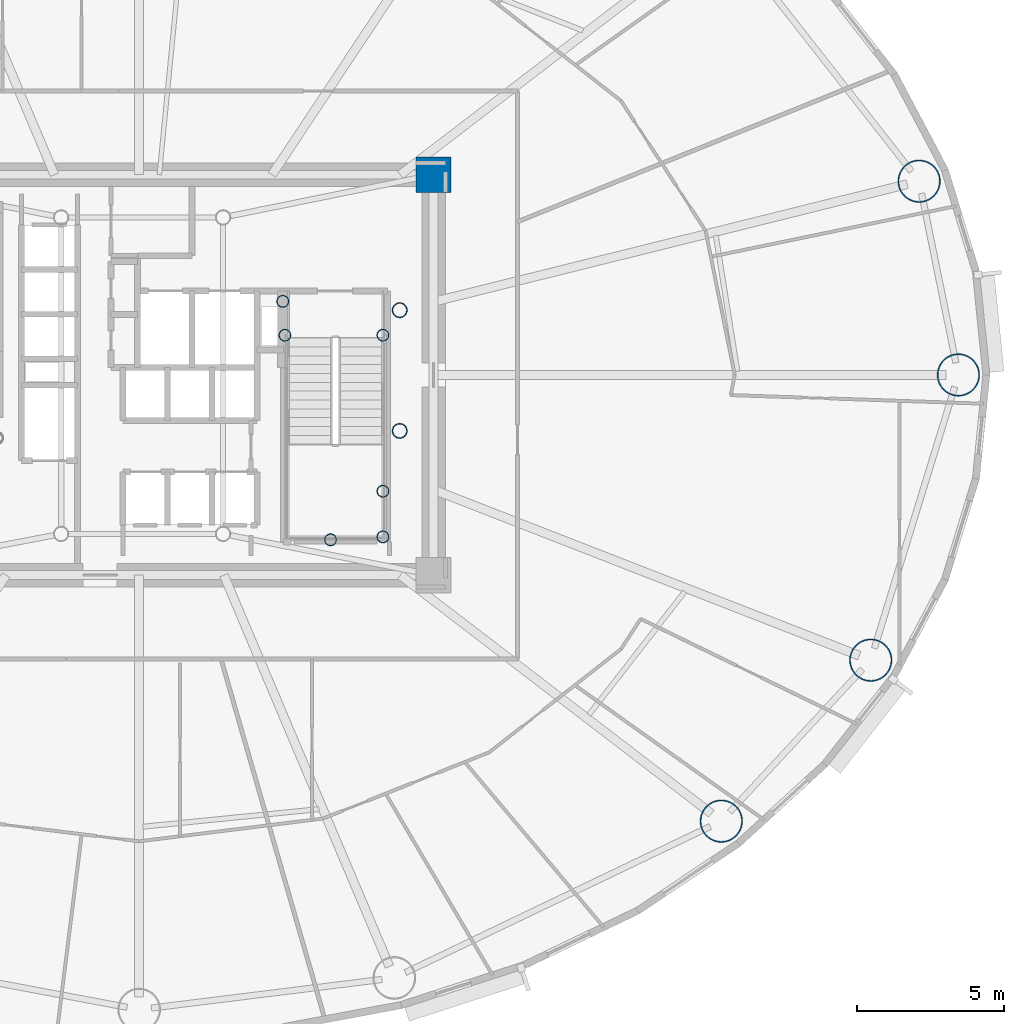
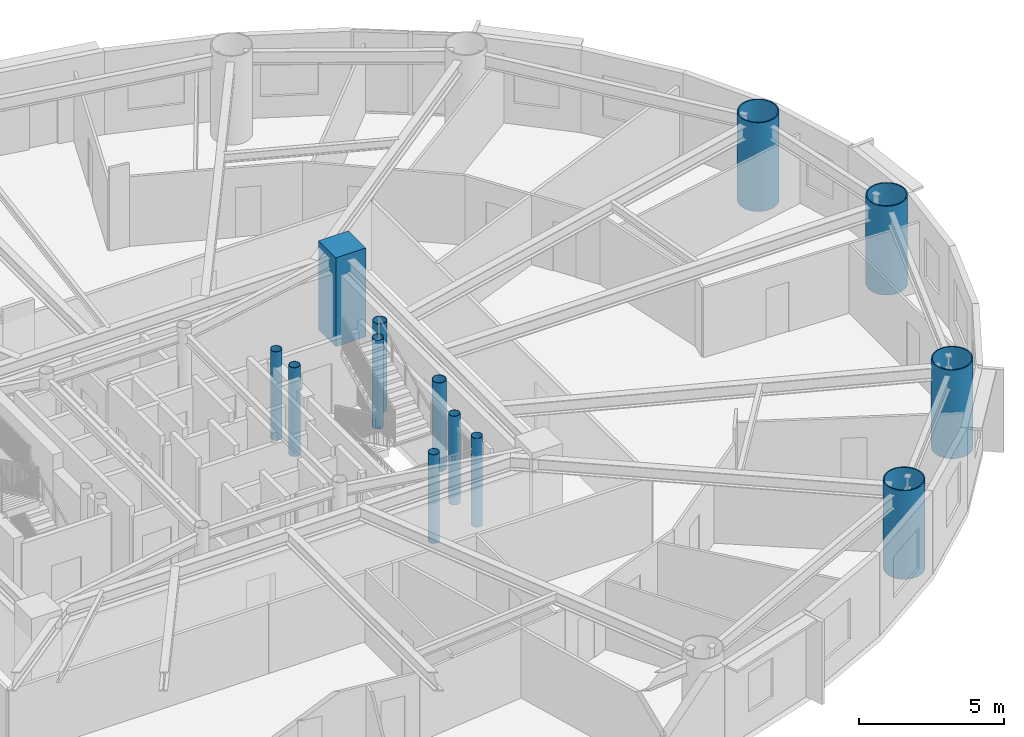
# One storey, part 2 of 20: 13 columns.
"""IFC4 building model written with IfcOpenShell, lengths in metres."""

import ifcopenshell
import ifcopenshell.guid

model = None  # the IFC model being written
_history = None  # IfcOwnerHistory: only IFC2X3 demands one
_inside = {}  # id of a spatial element -> (the spatial element, [elements in it])
_under = {}  # id of a project, library or spatial element -> (it, [spatial elements below it])
_declared = {}  # id of a project -> (the project, [libraries it declares])
_typed = {}  # id of a type object -> (the type object, [elements of that type])
_made_of = {}  # id of a material, layer set ... -> (it, [elements and type objects made of it])


def new_model(schema):
    """Start an empty IFC model of exactly this schema.

    Asked for "IFC4X3", IfcOpenShell would pick the latest addendum, in which some entities
    have other attributes; the version numbers below select the first issue.
    IFC2X3 requires an IfcOwnerHistory on every rooted entity: one is made here for all.
    """
    global model, _history
    if schema == "IFC4X3":
        model = ifcopenshell.file(schema_version=(4, 3, 0, 0))
    else:
        model = ifcopenshell.file(schema=schema)
    _inside.clear()
    _under.clear()
    _declared.clear()
    _typed.clear()
    _made_of.clear()
    _history = None
    if model.schema == "IFC2X3":
        org = make("IfcOrganization", Name="unknown")
        user = make(
            "IfcPersonAndOrganization",
            ThePerson=make("IfcPerson", FamilyName="unknown"),
            TheOrganization=org,
        )
        app = make(
            "IfcApplication",
            ApplicationDeveloper=org,
            Version="unknown",
            ApplicationFullName="unknown",
            ApplicationIdentifier="unknown",
        )
        _history = make(
            "IfcOwnerHistory",
            OwningUser=user,
            OwningApplication=app,
            ChangeAction="ADDED",
            CreationDate=0,
        )
    return model


def make(cls, **values):
    """One entity of the class cls with the attributes given. An attribute that is None is left unset."""
    return model.create_entity(
        cls, **{name: value for name, value in values.items() if value is not None}
    )


def rooted(cls, **values):
    """An entity with a GlobalId (a new one), such as an element, a storey or a relation."""
    return make(cls, GlobalId=ifcopenshell.guid.new(), OwnerHistory=_history, **values)


def si_unit(unit_type, name, prefix=None):
    """IfcSIUnit, for example si_unit("LENGTHUNIT", "METRE", prefix="MILLI")."""
    return make("IfcSIUnit", UnitType=unit_type, Prefix=prefix, Name=name)


def assignment(units):
    """IfcUnitAssignment: the units of a project."""
    return None if units is None else make("IfcUnitAssignment", Units=units)


def point(xyz):
    """IfcCartesianPoint."""
    return None if xyz is None else make("IfcCartesianPoint", Coordinates=xyz)


def direction(xyz):
    """IfcDirection."""
    return None if xyz is None else make("IfcDirection", DirectionRatios=xyz)


def frame(location, z_axis=None, x_axis=None):
    """IfcAxis2Placement3D, a coordinate frame: its origin and axes. An axis left out is left unset."""
    return make(
        "IfcAxis2Placement3D",
        Location=point(location),
        Axis=direction(z_axis),
        RefDirection=direction(x_axis),
    )


def frame_2d(location, x_axis=None):
    """IfcAxis2Placement2D, a coordinate frame in the plane: its origin and x axis."""
    return make(
        "IfcAxis2Placement2D", Location=point(location), RefDirection=direction(x_axis)
    )


def origin():
    """The frame at (0, 0, 0) with its axes left unset."""
    return frame((0.0, 0.0, 0.0))


def origin_2d():
    """The frame at (0, 0) in the plane with its x axis left unset."""
    return frame_2d((0.0, 0.0))


def place(relative_to, where):
    """IfcLocalPlacement: puts the frame where relative to a parent placement (None: the world)."""
    return make(
        "IfcLocalPlacement", PlacementRelTo=relative_to, RelativePlacement=where
    )


def context(
    kind, dimensions, precision=None, world=None, true_north=None, identifier=None
):
    """IfcGeometricRepresentationContext, for example the 3D "Model" context."""
    return make(
        "IfcGeometricRepresentationContext",
        ContextIdentifier=identifier,
        ContextType=kind,
        CoordinateSpaceDimension=dimensions,
        Precision=precision,
        WorldCoordinateSystem=world,
        TrueNorth=true_north,
    )


def subcontext(parent, identifier, kind, view, scale=None):
    """IfcGeometricRepresentationSubContext, for example "Body" below "Model"."""
    return make(
        "IfcGeometricRepresentationSubContext",
        ContextIdentifier=identifier,
        ContextType=kind,
        ParentContext=parent,
        TargetScale=scale,
        TargetView=view,
    )


def project(units=None, contexts=None):
    """IfcProject with its units and contexts."""
    return rooted(
        "IfcProject",
        Name="project",
        RepresentationContexts=contexts,
        UnitsInContext=assignment(units),
    )


def spatial(cls, under=None, at=None, **own):
    """A site, building, storey or space (cls), placed at a placement, below another one or the project."""
    s = rooted(cls, ObjectPlacement=at, **own)
    if under is not None:
        _under.setdefault(under.id(), (under, []))[1].append(s)
    return s


def profile(cls, at=None, kind="AREA", **sizes):
    """A parametric profile (cls). Its sizes go by their IFC names, for example OverallWidth=200.0."""
    return make(cls, ProfileType=kind, Position=at, **sizes)


def rectangle(**sizes):
    """IfcRectangleProfileDef."""
    return profile("IfcRectangleProfileDef", **sizes)


def hollow_circle(**sizes):
    """IfcCircleHollowProfileDef."""
    return profile("IfcCircleHollowProfileDef", **sizes)


def extrude(swept, where, along, depth):
    """IfcExtrudedAreaSolid: the profile swept, set in the frame where, extruded along a direction by depth."""
    return make(
        "IfcExtrudedAreaSolid",
        SweptArea=swept,
        Position=where,
        ExtrudedDirection=direction(along),
        Depth=depth,
    )


def shape(context_of_items, identifier, shape_type, items):
    """IfcShapeRepresentation: the items that make up one representation, for example the "Body"."""
    return make(
        "IfcShapeRepresentation",
        ContextOfItems=context_of_items,
        RepresentationIdentifier=identifier,
        RepresentationType=shape_type,
        Items=items,
    )


def material(Name=None, Category=None):
    """IfcMaterial."""
    return make("IfcMaterial", Name=Name, Category=Category)


def material_profile(
    of_material, cross_section, Name=None, Category=None, Priority=None
):
    """IfcMaterialProfile: a cross section and its material."""
    return make(
        "IfcMaterialProfile",
        Name=Name,
        Material=of_material,
        Profile=cross_section,
        Priority=Priority,
        Category=Category,
    )


def profile_set(profiles, Name=None, composite=None):
    """IfcMaterialProfileSet."""
    return make(
        "IfcMaterialProfileSet",
        Name=Name,
        MaterialProfiles=profiles,
        CompositeProfile=composite,
    )


def made_of(thing, what):
    """Note that an element or type object is made of a material, layer set ...; save() writes the relation."""
    if what is not None:
        _made_of.setdefault(what.id(), (what, []))[1].append(thing)
    return thing


def type_object(cls, material=None, **own):
    """A type object (cls), such as IfcWallType, which elements share."""
    return made_of(rooted(cls, **own), material)


def element(
    cls,
    number,
    at=None,
    inside=None,
    cuts=None,
    type_object=None,
    material=None,
    context=None,
    identifier="Body",
    shape_type=None,
    held_by="IfcProductDefinitionShape",
    body=None,
    shapes=None,
    **own,
):
    """One element of the class cls, such as IfcWall. Its Tag is "e" and its number.

    at: its placement. inside: the storey or other place that contains it. cuts: it is an
    opening in that element (IfcRelVoidsElement). A single representation is given by context,
    identifier, shape_type and body (its items); several are given by shapes. held_by: the class
    of the entity that holds the representations. save() writes the other relations.
    """
    e = rooted(cls, Tag="e%d" % number, ObjectPlacement=at, **own)
    if body is not None:
        shapes = [shape(context, identifier, shape_type, body)]
    if shapes is not None:
        e.Representation = make(held_by, Representations=shapes)
    if inside is not None:
        _inside.setdefault(inside.id(), (inside, []))[1].append(e)
    if cuts is not None:
        rooted(
            "IfcRelVoidsElement", RelatingBuildingElement=cuts, RelatedOpeningElement=e
        )
    if type_object is not None:
        _typed.setdefault(type_object.id(), (type_object, []))[1].append(e)
    return made_of(e, material)


def aggregate(whole, parts):
    """IfcRelAggregates: a whole, such as a stair, and the parts it consists of."""
    return rooted("IfcRelAggregates", RelatingObject=whole, RelatedObjects=parts)


def save(model, path):
    """Write the relations noted so far, then the file.

    IfcRelAggregates (storeys below a building ...), IfcRelContainedInSpatialStructure (elements
    in a storey), IfcRelDefinesByType, IfcRelAssociatesMaterial and IfcRelDeclares: one each for
    every whole, place, type object, material and project.
    """
    for whole, parts in _under.values():
        aggregate(whole, parts)
    for where, things in _inside.values():
        rooted(
            "IfcRelContainedInSpatialStructure",
            RelatedElements=things,
            RelatingStructure=where,
        )
    for kind, things in _typed.values():
        rooted("IfcRelDefinesByType", RelatedObjects=things, RelatingType=kind)
    for what, things in _made_of.values():
        rooted("IfcRelAssociatesMaterial", RelatedObjects=things, RelatingMaterial=what)
    for by, libraries in _declared.values():
        rooted("IfcRelDeclares", RelatingContext=by, RelatedDefinitions=libraries)
    model.write(path)


model = new_model("IFC4")

# Units and contexts
model_context = context("Model", 3, precision=1e-05, world=origin(), true_north=direction((0.0, 1.0)))
body_context = subcontext(model_context, "Body", "Model", "MODEL_VIEW")
ifc_project = project(units=[si_unit("LENGTHUNIT", "METRE"), si_unit("AREAUNIT", "SQUARE_METRE"), si_unit("VOLUMEUNIT", "CUBIC_METRE"), si_unit("PLANEANGLEUNIT", "RADIAN"), si_unit("MASSUNIT", "GRAM", prefix="KILO")], contexts=[model_context])

# Site, building, storey
site_placement = place(None, origin())
site = spatial("IfcSite", under=ifc_project, at=site_placement, CompositionType="ELEMENT")
building_placement = place(site_placement, origin())
building = spatial("IfcBuilding", under=site, at=building_placement, Name="Linh Dai School and Residence Tower", CompositionType="ELEMENT")
storey_placement = place(building_placement, frame((0.0, 0.0, 127.199951171875)))
storey = spatial("IfcBuildingStorey", under=building, at=storey_placement, Name="L30", CompositionType="ELEMENT", Elevation=127.199951171875)

# Columns
ifc_material_1 = material(Name="Concrete B60 (C50/60)", Category="concrete")
ifc_material_profile_1 = material_profile(ifc_material_1, rectangle(XDim=1.199951171875, YDim=1.199951171875, at=origin_2d()), Name="RC 1200x1200")
ifc_profile_set_1 = profile_set([ifc_material_profile_1], Name="Concrete B60 (C50/60)")
column_type_1 = type_object("IfcColumnType", Name="COL-CC2", PredefinedType="COLUMN", material=ifc_profile_set_1)
column_placement = place(storey_placement, frame((46.0, 33.800048828125, 0.0), z_axis=(0.0, 0.0, 1.0), x_axis=(1.0, 0.0, 0.0)))
element("IfcColumn", 1, at=column_placement, inside=storey, type_object=column_type_1, Name="L30 Core Corner Pier CC3", PredefinedType="COLUMN", context=body_context, shape_type="SweptSolid", body=[
    extrude(rectangle(XDim=1.199951171875, YDim=1.199951171875, at=origin_2d()), origin(), (0.0, 0.0, 1.0), 3.75),
])
ifc_material_2 = material(Name="Structural Steel S355JR", Category="steel")
ifc_material_profile_2 = material_profile(ifc_material_2, hollow_circle(Radius=0.203125, WallThickness=0.01611328125, at=origin_2d()), Name="CHS 406.4x16")
ifc_profile_set_2 = profile_set([ifc_material_profile_2], Name="Structural Steel S355JR")
column_type_2 = type_object("IfcColumnType", Name="COL-EC", PredefinedType="COLUMN", material=ifc_profile_set_2)
for number, where, z_axis, x_axis, name in (
    (2, (44.280029296875, 21.5, 0.0), (0.0, 0.0, 1.0), (1.0, 0.0, 0.0), "L30 Stair Shaft Landing Support Pier ST2SE"),
    (3, (44.280029296875, 23.050048828125, 0.0), (0.0, 0.0, 1.0), (1.0, 0.0, 0.0), "L30 Stair Shaft Landing Support Pier ST2NE"),
    (4, (42.5, 21.39990234375, 0.0), (0.0, 0.0, 1.0), (1.0, 0.0, 0.0), "L30 Stair Shaft Landing Support Pier ST2MS"),
    (5, (40.949951171875, 28.35009765625, 0.0), (0.0, 0.0, 1.0), (1.0, 0.0, 0.0), "L30 Stair Shaft Landing Support Pier ST2N1"),
    (6, (44.280029296875, 28.35009765625, 0.0), (0.0, 0.0, 1.0), (1.0, 0.0, 0.0), "L30 Stair Shaft Landing Support Pier ST2N2"),
    (7, (40.8798828125, 29.5, 0.0), (0.0, 0.0, 1.0), (1.0, 0.0, 0.0), "L30 Stair Shaft Landing Support Pier ST2N3"),
):
    element("IfcColumn", number, at=place(storey_placement, frame(where, z_axis=z_axis, x_axis=x_axis)), inside=storey, type_object=column_type_2, Name=name, PredefinedType="COLUMN", context=body_context, shape_type="SweptSolid", body=[
        extrude(hollow_circle(Radius=0.203125, WallThickness=0.01611328125, at=origin_2d()), origin(), (0.0, 0.0, 1.0), 3.75),
    ])
ifc_material_profile_3 = material_profile(ifc_material_2, hollow_circle(Radius=0.72509765625, WallThickness=0.0419921875, at=origin_2d()), Name="CHS 1450x42")
ifc_profile_set_3 = profile_set([ifc_material_profile_3], Name="Structural Steel S355JR")
column_type_3 = type_object("IfcColumnType", Name="COL-MC3", PredefinedType="COLUMN", material=ifc_profile_set_3)
for number, where, z_axis, x_axis, name in (
    (8, (63.824951171875, 27.0, 0.0), (0.0, 0.0, 1.0), (1.0, 0.0, 0.0), "L30 Perimeter CFT Mega-Column MC01"),
    (9, (62.49267578125, 33.5810546875, 0.0), (0.0, 0.0, 1.0), (1.0, 0.0, 0.0), "L30 Perimeter CFT Mega-Column MC02"),
    (10, (55.772705078125, 11.844482421875, 0.0), (0.0, 0.0, 1.0), (1.0, 0.0, 0.0), "L30 Perimeter CFT Mega-Column MC15"),
    (11, (60.84912109375, 17.3125, 0.0), (0.0, 0.0, 1.0), (1.0, 0.0, 0.0), "L30 Perimeter CFT Mega-Column MC16"),
):
    element("IfcColumn", number, at=place(storey_placement, frame(where, z_axis=z_axis, x_axis=x_axis)), inside=storey, type_object=column_type_3, Name=name, PredefinedType="COLUMN", context=body_context, shape_type="SweptSolid", body=[
        extrude(hollow_circle(Radius=0.72509765625, WallThickness=0.0419921875, at=origin_2d()), origin(), (0.0, 0.0, 1.0), 3.75),
    ])
ifc_material_profile_4 = material_profile(ifc_material_2, hollow_circle(Radius=0.25390625, WallThickness=0.02001953125, at=origin_2d()), Name="CHS 508x20")
ifc_profile_set_4 = profile_set([ifc_material_profile_4], Name="Structural Steel S355JR")
column_type_4 = type_object("IfcColumnType", Name="COL-MCP", PredefinedType="COLUMN", material=ifc_profile_set_4)
for number, where, z_axis, x_axis, name in (
    (12, (44.85009765625, 25.10009765625, 0.0), (0.0, 0.0, 1.0), (1.0, 0.0, 0.0), "L30 Sky-Lounge Core Anchor Pier S"),
    (13, (44.85009765625, 29.199951171875, 0.0), (0.0, 0.0, 1.0), (1.0, 0.0, 0.0), "L30 Sky-Lounge Core Anchor Pier N"),
):
    element("IfcColumn", number, at=place(storey_placement, frame(where, z_axis=z_axis, x_axis=x_axis)), inside=storey, type_object=column_type_4, Name=name, PredefinedType="COLUMN", context=body_context, shape_type="SweptSolid", body=[
        extrude(hollow_circle(Radius=0.25390625, WallThickness=0.02001953125, at=origin_2d()), origin(), (0.0, 0.0, 1.0), 3.75),
    ])

save(model, "model.ifc")
